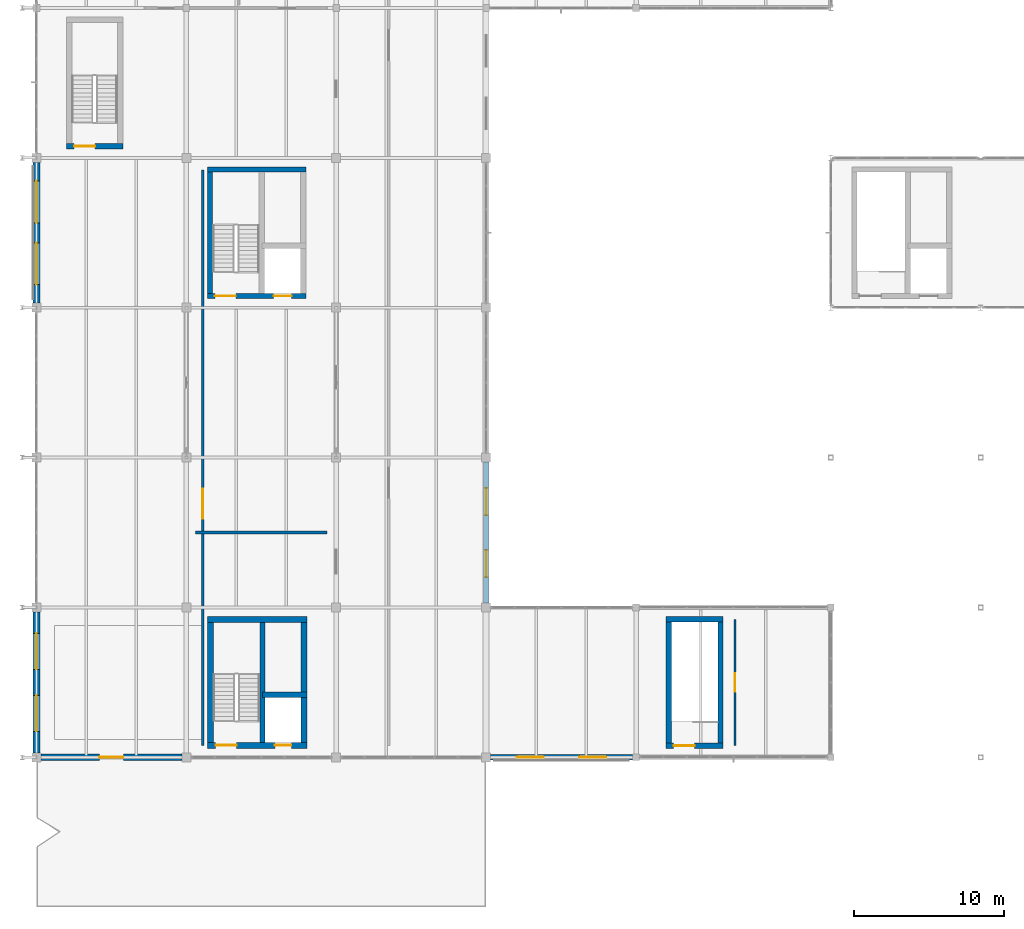
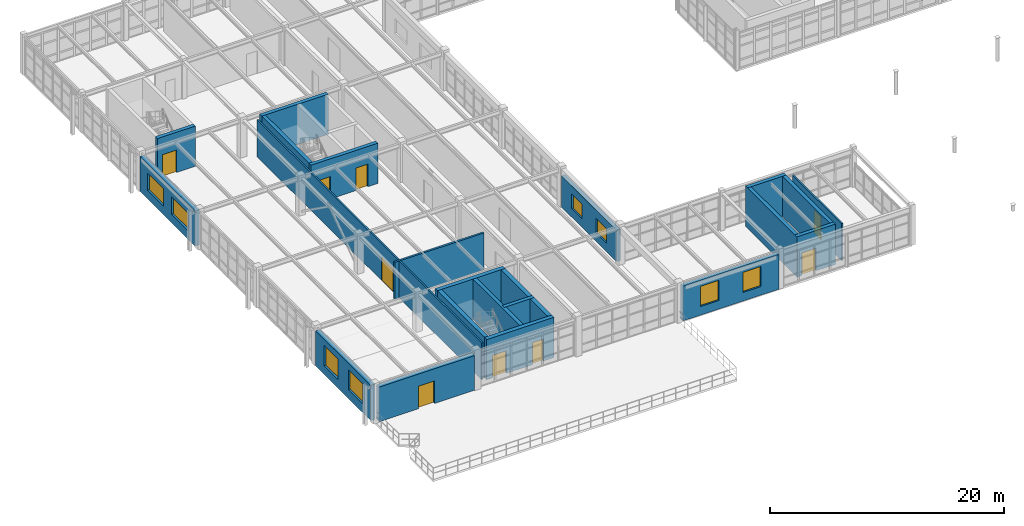
# One storey, part 105 of 122: 22 walls, 9 doors, 8 windows, 17 openings.
"""IFC4 building model written with IfcOpenShell, lengths in metres."""

import ifcopenshell
import ifcopenshell.guid

model = None  # the IFC model being written
_history = None  # IfcOwnerHistory: only IFC2X3 demands one
_inside = {}  # id of a spatial element -> (the spatial element, [elements in it])
_under = {}  # id of a project, library or spatial element -> (it, [spatial elements below it])
_declared = {}  # id of a project -> (the project, [libraries it declares])
_typed = {}  # id of a type object -> (the type object, [elements of that type])
_made_of = {}  # id of a material, layer set ... -> (it, [elements and type objects made of it])


def new_model(schema):
    """Start an empty IFC model of exactly this schema.

    Asked for "IFC4X3", IfcOpenShell would pick the latest addendum, in which some entities
    have other attributes; the version numbers below select the first issue.
    IFC2X3 requires an IfcOwnerHistory on every rooted entity: one is made here for all.
    """
    global model, _history
    if schema == "IFC4X3":
        model = ifcopenshell.file(schema_version=(4, 3, 0, 0))
    else:
        model = ifcopenshell.file(schema=schema)
    _inside.clear()
    _under.clear()
    _declared.clear()
    _typed.clear()
    _made_of.clear()
    _history = None
    if model.schema == "IFC2X3":
        org = make("IfcOrganization", Name="unknown")
        user = make(
            "IfcPersonAndOrganization",
            ThePerson=make("IfcPerson", FamilyName="unknown"),
            TheOrganization=org,
        )
        app = make(
            "IfcApplication",
            ApplicationDeveloper=org,
            Version="unknown",
            ApplicationFullName="unknown",
            ApplicationIdentifier="unknown",
        )
        _history = make(
            "IfcOwnerHistory",
            OwningUser=user,
            OwningApplication=app,
            ChangeAction="ADDED",
            CreationDate=0,
        )
    return model


def make(cls, **values):
    """One entity of the class cls with the attributes given. An attribute that is None is left unset."""
    return model.create_entity(
        cls, **{name: value for name, value in values.items() if value is not None}
    )


def rooted(cls, **values):
    """An entity with a GlobalId (a new one), such as an element, a storey or a relation."""
    return make(cls, GlobalId=ifcopenshell.guid.new(), OwnerHistory=_history, **values)


def si_unit(unit_type, name, prefix=None):
    """IfcSIUnit, for example si_unit("LENGTHUNIT", "METRE", prefix="MILLI")."""
    return make("IfcSIUnit", UnitType=unit_type, Prefix=prefix, Name=name)


def assignment(units):
    """IfcUnitAssignment: the units of a project."""
    return None if units is None else make("IfcUnitAssignment", Units=units)


def point(xyz):
    """IfcCartesianPoint."""
    return None if xyz is None else make("IfcCartesianPoint", Coordinates=xyz)


def direction(xyz):
    """IfcDirection."""
    return None if xyz is None else make("IfcDirection", DirectionRatios=xyz)


def frame(location, z_axis=None, x_axis=None):
    """IfcAxis2Placement3D, a coordinate frame: its origin and axes. An axis left out is left unset."""
    return make(
        "IfcAxis2Placement3D",
        Location=point(location),
        Axis=direction(z_axis),
        RefDirection=direction(x_axis),
    )


def frame_2d(location, x_axis=None):
    """IfcAxis2Placement2D, a coordinate frame in the plane: its origin and x axis."""
    return make(
        "IfcAxis2Placement2D", Location=point(location), RefDirection=direction(x_axis)
    )


def origin():
    """The frame at (0, 0, 0) with its axes left unset."""
    return frame((0.0, 0.0, 0.0))


def place(relative_to, where):
    """IfcLocalPlacement: puts the frame where relative to a parent placement (None: the world)."""
    return make(
        "IfcLocalPlacement", PlacementRelTo=relative_to, RelativePlacement=where
    )


def context(
    kind, dimensions, precision=None, world=None, true_north=None, identifier=None
):
    """IfcGeometricRepresentationContext, for example the 3D "Model" context."""
    return make(
        "IfcGeometricRepresentationContext",
        ContextIdentifier=identifier,
        ContextType=kind,
        CoordinateSpaceDimension=dimensions,
        Precision=precision,
        WorldCoordinateSystem=world,
        TrueNorth=true_north,
    )


def subcontext(parent, identifier, kind, view, scale=None):
    """IfcGeometricRepresentationSubContext, for example "Body" below "Model"."""
    return make(
        "IfcGeometricRepresentationSubContext",
        ContextIdentifier=identifier,
        ContextType=kind,
        ParentContext=parent,
        TargetScale=scale,
        TargetView=view,
    )


def project(units=None, contexts=None):
    """IfcProject with its units and contexts."""
    return rooted(
        "IfcProject",
        Name="project",
        RepresentationContexts=contexts,
        UnitsInContext=assignment(units),
    )


def spatial(cls, under=None, at=None, **own):
    """A site, building, storey or space (cls), placed at a placement, below another one or the project."""
    s = rooted(cls, ObjectPlacement=at, **own)
    if under is not None:
        _under.setdefault(under.id(), (under, []))[1].append(s)
    return s


def profile(cls, at=None, kind="AREA", **sizes):
    """A parametric profile (cls). Its sizes go by their IFC names, for example OverallWidth=200.0."""
    return make(cls, ProfileType=kind, Position=at, **sizes)


def rectangle(**sizes):
    """IfcRectangleProfileDef."""
    return profile("IfcRectangleProfileDef", **sizes)


def extrude(swept, where, along, depth):
    """IfcExtrudedAreaSolid: the profile swept, set in the frame where, extruded along a direction by depth."""
    return make(
        "IfcExtrudedAreaSolid",
        SweptArea=swept,
        Position=where,
        ExtrudedDirection=direction(along),
        Depth=depth,
    )


def shape(context_of_items, identifier, shape_type, items):
    """IfcShapeRepresentation: the items that make up one representation, for example the "Body"."""
    return make(
        "IfcShapeRepresentation",
        ContextOfItems=context_of_items,
        RepresentationIdentifier=identifier,
        RepresentationType=shape_type,
        Items=items,
    )


def material(Name=None, Category=None):
    """IfcMaterial."""
    return make("IfcMaterial", Name=Name, Category=Category)


def layer(
    of_material, thickness, ventilated=None, Name=None, Category=None, Priority=None
):
    """IfcMaterialLayer: one layer of a wall or slab, of a material (None: an air gap)."""
    return make(
        "IfcMaterialLayer",
        Material=of_material,
        LayerThickness=thickness,
        IsVentilated=ventilated,
        Name=Name,
        Category=Category,
        Priority=Priority,
    )


def layer_set(layers, Name=None):
    """IfcMaterialLayerSet."""
    return make("IfcMaterialLayerSet", MaterialLayers=layers, LayerSetName=Name)


def made_of(thing, what):
    """Note that an element or type object is made of a material, layer set ...; save() writes the relation."""
    if what is not None:
        _made_of.setdefault(what.id(), (what, []))[1].append(thing)
    return thing


def type_object(cls, material=None, **own):
    """A type object (cls), such as IfcWallType, which elements share."""
    return made_of(rooted(cls, **own), material)


def element(
    cls,
    number,
    at=None,
    inside=None,
    cuts=None,
    type_object=None,
    material=None,
    context=None,
    identifier="Body",
    shape_type=None,
    held_by="IfcProductDefinitionShape",
    body=None,
    shapes=None,
    **own,
):
    """One element of the class cls, such as IfcWall. Its Tag is "e" and its number.

    at: its placement. inside: the storey or other place that contains it. cuts: it is an
    opening in that element (IfcRelVoidsElement). A single representation is given by context,
    identifier, shape_type and body (its items); several are given by shapes. held_by: the class
    of the entity that holds the representations. save() writes the other relations.
    """
    e = rooted(cls, Tag="e%d" % number, ObjectPlacement=at, **own)
    if body is not None:
        shapes = [shape(context, identifier, shape_type, body)]
    if shapes is not None:
        e.Representation = make(held_by, Representations=shapes)
    if inside is not None:
        _inside.setdefault(inside.id(), (inside, []))[1].append(e)
    if cuts is not None:
        rooted(
            "IfcRelVoidsElement", RelatingBuildingElement=cuts, RelatedOpeningElement=e
        )
    if type_object is not None:
        _typed.setdefault(type_object.id(), (type_object, []))[1].append(e)
    return made_of(e, material)


def fill(opening, filler):
    """IfcRelFillsElement: the door or window that sits in an opening."""
    return rooted(
        "IfcRelFillsElement",
        RelatingOpeningElement=opening,
        RelatedBuildingElement=filler,
    )


def aggregate(whole, parts):
    """IfcRelAggregates: a whole, such as a stair, and the parts it consists of."""
    return rooted("IfcRelAggregates", RelatingObject=whole, RelatedObjects=parts)


def save(model, path):
    """Write the relations noted so far, then the file.

    IfcRelAggregates (storeys below a building ...), IfcRelContainedInSpatialStructure (elements
    in a storey), IfcRelDefinesByType, IfcRelAssociatesMaterial and IfcRelDeclares: one each for
    every whole, place, type object, material and project.
    """
    for whole, parts in _under.values():
        aggregate(whole, parts)
    for where, things in _inside.values():
        rooted(
            "IfcRelContainedInSpatialStructure",
            RelatedElements=things,
            RelatingStructure=where,
        )
    for kind, things in _typed.values():
        rooted("IfcRelDefinesByType", RelatedObjects=things, RelatingType=kind)
    for what, things in _made_of.values():
        rooted("IfcRelAssociatesMaterial", RelatedObjects=things, RelatingMaterial=what)
    for by, libraries in _declared.values():
        rooted("IfcRelDeclares", RelatingContext=by, RelatedDefinitions=libraries)
    model.write(path)


model = new_model("IFC4")

# Units and contexts
model_context = context("Model", 3, precision=1e-05, world=origin(), true_north=direction((0.0, 1.0)))
body_context = subcontext(model_context, "Body", "Model", "MODEL_VIEW")
ifc_project = project(units=[si_unit("LENGTHUNIT", "METRE"), si_unit("AREAUNIT", "SQUARE_METRE"), si_unit("VOLUMEUNIT", "CUBIC_METRE"), si_unit("PLANEANGLEUNIT", "RADIAN"), si_unit("MASSUNIT", "GRAM", prefix="KILO"), si_unit("THERMODYNAMICTEMPERATUREUNIT", "KELVIN"), si_unit("POWERUNIT", "WATT")], contexts=[model_context])

# Site, building, storey
site_placement = place(None, origin())
site = spatial("IfcSite", under=ifc_project, at=site_placement, CompositionType="ELEMENT")
building_placement = place(site_placement, origin())
building = spatial("IfcBuilding", under=site, at=building_placement, Name="Korenveer Ferry Terminal", CompositionType="ELEMENT")
storey_placement = place(building_placement, frame((0.0, 0.0, 10.199951171875)))
storey = spatial("IfcBuildingStorey", under=building, at=storey_placement, Name="L02", CompositionType="ELEMENT", Elevation=10.199951171875)

# Wall, openings, windows
ifc_material_1 = material(Name="Insulated clinker brick masonry", Category="masonry")
ifc_layer_1 = layer(ifc_material_1, 0.3798828125)
ifc_layer_set_1 = layer_set([ifc_layer_1], Name="Insulated clinker brick masonry")
wall_type_1 = type_object("IfcWallType", Name="ENV-WL-BRK380", PredefinedType="SOLIDWALL", material=ifc_layer_set_1)
wall_1_placement = place(storey_placement, frame((30.300048828125, 20.0, 0.0), z_axis=(0.0, 0.0, 1.0), x_axis=(1.0, 0.0, 0.0)))
wall_1 = element("IfcWall", 1, at=wall_1_placement, inside=storey, type_object=wall_type_1, Name="Exterior facade wall EWL-L02-055", PredefinedType="SOLIDWALL", context=body_context, shape_type="SweptSolid", body=[
    extrude(rectangle(XDim=9.474853515625, YDim=0.3798828125, at=frame_2d((4.7373046875, 0.0))), origin(), (0.0, 0.0, 1.0), 3.630126953125),
])
opening_1_placement = place(wall_1_placement, frame((1.7529296875, 0.0, 0.89990234375)))
opening_1 = element("IfcOpeningElement", 2, at=opening_1_placement, cuts=wall_1, Name="Opening WN-19", PredefinedType="OPENING", context=body_context, shape_type="SweptSolid", body=[
    extrude(rectangle(XDim=1.800048828125, YDim=2.10009765625, at=frame_2d((0.89990234375, 1.050048828125))), frame((0.0, 0.199951171875, 0.0), z_axis=(0.0, -1.0, 0.0), x_axis=(1.0, 0.0, 0.0)), (0.0, 0.0, 1.0), 0.39990234375),
])
opening_2_placement = place(wall_1_placement, frame((5.922119140625, 0.0, 0.89990234375)))
opening_2 = element("IfcOpeningElement", 3, at=opening_2_placement, cuts=wall_1, Name="Opening WN-19", PredefinedType="OPENING", context=body_context, shape_type="SweptSolid", body=[
    extrude(rectangle(XDim=1.800048828125, YDim=2.10009765625, at=frame_2d((0.89990234375, 1.050048828125))), frame((0.0, 0.199951171875, 0.0), z_axis=(0.0, -1.0, 0.0), x_axis=(1.0, 0.0, 0.0)), (0.0, 0.0, 1.0), 0.39990234375),
])
ifc_material_2 = material(Name="Low-iron triple glazing in bronze frame", Category="glass")
window_type_1 = type_object("IfcWindowType", Name="ENV-WN-19", PartitioningType="SINGLE_PANEL", PredefinedType="WINDOW", material=ifc_material_2)
window_1_placement = place(opening_1_placement, origin())
window_1 = element("IfcWindow", 4, at=window_1_placement, inside=storey, type_object=window_type_1, Name="Lancet facade window 59", OverallHeight=2.10009765625, OverallWidth=1.800048828125, PartitioningType="SINGLE_PANEL", PredefinedType="WINDOW", context=body_context, shape_type="SweptSolid", body=[
    extrude(rectangle(XDim=1.800048828125, YDim=2.10009765625, at=frame_2d((0.89990234375, 1.050048828125))), frame((0.0, 0.030029296875, 0.0), z_axis=(0.0, -1.0, 0.0), x_axis=(1.0, 0.0, 0.0)), (0.0, 0.0, 1.0), 0.06005859375),
])
fill(opening_1, window_1)
window_2_placement = place(opening_2_placement, origin())
window_2 = element("IfcWindow", 5, at=window_2_placement, inside=storey, type_object=window_type_1, Name="Lancet facade window 60", OverallHeight=2.10009765625, OverallWidth=1.800048828125, PartitioningType="SINGLE_PANEL", PredefinedType="WINDOW", context=body_context, shape_type="SweptSolid", body=[
    extrude(rectangle(XDim=1.800048828125, YDim=2.10009765625, at=frame_2d((0.89990234375, 1.050048828125))), frame((0.0, 0.030029296875, 0.0), z_axis=(0.0, -1.0, 0.0), x_axis=(1.0, 0.0, 0.0)), (0.0, 0.0, 1.0), 0.06005859375),
])
fill(opening_2, window_2)

wall_2_placement = place(storey_placement, frame((30.0, 39.699951171875, 0.0), z_axis=(0.0, 0.0, 1.0), x_axis=(0.0, -1.0, 0.0)))
wall_2 = element("IfcWall", 6, at=wall_2_placement, inside=storey, type_object=wall_type_1, Name="Exterior facade wall EWL-L02-062", PredefinedType="SOLIDWALL", context=body_context, shape_type="SweptSolid", body=[
    extrude(rectangle(XDim=9.39990234375, YDim=0.3798828125, at=frame_2d((4.699951171875, 0.0))), origin(), (0.0, 0.0, 1.0), 3.27001953125),
])
opening_3_placement = place(wall_2_placement, frame((1.73193359375, 0.0, 0.89990234375)))
opening_3 = element("IfcOpeningElement", 7, at=opening_3_placement, cuts=wall_2, Name="Opening WN-17", PredefinedType="OPENING", context=body_context, shape_type="SweptSolid", body=[
    extrude(rectangle(XDim=1.800048828125, YDim=1.5, at=frame_2d((0.89990234375, 0.75))), frame((0.0, 0.199951171875, 0.0), z_axis=(0.0, -1.0, 0.0), x_axis=(1.0, 0.0, 0.0)), (0.0, 0.0, 1.0), 0.39990234375),
])
opening_4_placement = place(wall_2_placement, frame((5.867919921875, 0.0, 0.89990234375)))
opening_4 = element("IfcOpeningElement", 8, at=opening_4_placement, cuts=wall_2, Name="Opening WN-17", PredefinedType="OPENING", context=body_context, shape_type="SweptSolid", body=[
    extrude(rectangle(XDim=1.800048828125, YDim=1.5, at=frame_2d((0.89990234375, 0.75))), frame((0.0, 0.199951171875, 0.0), z_axis=(0.0, -1.0, 0.0), x_axis=(1.0, 0.0, 0.0)), (0.0, 0.0, 1.0), 0.39990234375),
])
window_type_2 = type_object("IfcWindowType", Name="ENV-WN-17", PartitioningType="SINGLE_PANEL", PredefinedType="WINDOW", material=ifc_material_2)
window_3_placement = place(opening_3_placement, origin())
window_3 = element("IfcWindow", 9, at=window_3_placement, inside=storey, type_object=window_type_2, Name="Lancet facade window 71", OverallHeight=1.5, OverallWidth=1.800048828125, PartitioningType="SINGLE_PANEL", PredefinedType="WINDOW", context=body_context, shape_type="SweptSolid", body=[
    extrude(rectangle(XDim=1.800048828125, YDim=1.5, at=frame_2d((0.89990234375, 0.75))), frame((0.0, 0.030029296875, 0.0), z_axis=(0.0, -1.0, 0.0), x_axis=(1.0, 0.0, 0.0)), (0.0, 0.0, 1.0), 0.06005859375),
])
fill(opening_3, window_3)
window_4_placement = place(opening_4_placement, origin())
window_4 = element("IfcWindow", 10, at=window_4_placement, inside=storey, type_object=window_type_2, Name="Lancet facade window 72", OverallHeight=1.5, OverallWidth=1.800048828125, PartitioningType="SINGLE_PANEL", PredefinedType="WINDOW", context=body_context, shape_type="SweptSolid", body=[
    extrude(rectangle(XDim=1.800048828125, YDim=1.5, at=frame_2d((0.89990234375, 0.75))), frame((0.0, 0.030029296875, 0.0), z_axis=(0.0, -1.0, 0.0), x_axis=(1.0, 0.0, 0.0)), (0.0, 0.0, 1.0), 0.06005859375),
])
fill(opening_4, window_4)

# Wall, opening, door
ifc_layer_2 = layer(ifc_material_1, 0.43994140625)
ifc_layer_set_2 = layer_set([ifc_layer_2], Name="Insulated clinker brick masonry")
wall_type_2 = type_object("IfcWallType", Name="ENV-WL-BRK440", PredefinedType="SOLIDWALL", material=ifc_layer_set_2)
wall_3_placement = place(storey_placement, frame((0.300048828125, 20.0, 0.0), z_axis=(0.0, 0.0, 1.0), x_axis=(1.0, 0.0, 0.0)))
wall_3 = element("IfcWall", 11, at=wall_3_placement, inside=storey, type_object=wall_type_2, Name="Exterior facade wall EWL-L02-054", PredefinedType="SOLIDWALL", context=body_context, shape_type="SweptSolid", body=[
    extrude(rectangle(XDim=9.39990234375, YDim=0.43994140625, at=frame_2d((4.699951171875, 0.0))), origin(), (0.0, 0.0, 1.0), 3.6201171875),
])
opening_5_placement = place(wall_3_placement, frame((3.89990234375, 0.0, 0.0)))
opening_5 = element("IfcOpeningElement", 12, at=opening_5_placement, cuts=wall_3, Name="Opening TD-201", PredefinedType="OPENING", context=body_context, shape_type="SweptSolid", body=[
    extrude(rectangle(XDim=1.60009765625, YDim=2.35009765625, at=frame_2d((0.800048828125, 1.175048828125))), frame((0.0, 0.22998046875, 0.0), z_axis=(0.0, -1.0, 0.0), x_axis=(1.0, 0.0, 0.0)), (0.0, 0.0, 1.0), 0.4599609375),
])
ifc_material_3 = material(Name="Thermally broken bronze glazed door", Category="aluminium")
door_type_1 = type_object("IfcDoorType", Name="ENV-DR-TERR160", OperationType="DOUBLE_DOOR_SINGLE_SWING", PredefinedType="DOOR", material=ifc_material_3)
door_1_placement = place(opening_5_placement, origin())
door_1 = element("IfcDoor", 13, at=door_1_placement, inside=storey, type_object=door_type_1, Name="West Public Roof Promenade Door TD-201", OperationType="DOUBLE_DOOR_SINGLE_SWING", OverallHeight=2.35009765625, OverallWidth=1.60009765625, PredefinedType="DOOR", context=body_context, shape_type="SweptSolid", body=[
    extrude(rectangle(XDim=1.60009765625, YDim=2.35009765625, at=frame_2d((0.800048828125, 1.175048828125))), frame((0.0, 0.02490234375, 0.0), z_axis=(0.0, -1.0, 0.0), x_axis=(1.0, 0.0, 0.0)), (0.0, 0.0, 1.0), 0.050048828125),
])
fill(opening_5, door_1)

# Wall, openings, windows
wall_4_placement = place(storey_placement, frame((0.0, 20.300048828125, 0.0), z_axis=(0.0, 0.0, 1.0), x_axis=(0.0, 1.0, 0.0)))
wall_4 = element("IfcWall", 14, at=wall_4_placement, inside=storey, type_object=wall_type_2, Name="Exterior facade wall EWL-L02-060", PredefinedType="SOLIDWALL", context=body_context, shape_type="SweptSolid", body=[
    extrude(rectangle(XDim=9.39990234375, YDim=0.43994140625, at=frame_2d((4.699951171875, 0.0))), origin(), (0.0, 0.0, 1.0), 3.670166015625),
])
opening_6_placement = place(wall_4_placement, frame((1.431884765625, 0.0, 0.89990234375)))
opening_6 = element("IfcOpeningElement", 15, at=opening_6_placement, cuts=wall_4, Name="Opening WN-31", PredefinedType="OPENING", context=body_context, shape_type="SweptSolid", body=[
    extrude(rectangle(XDim=2.39990234375, YDim=2.10009765625, at=frame_2d((1.199951171875, 1.050048828125))), frame((0.0, 0.22998046875, 0.0), z_axis=(0.0, -1.0, 0.0), x_axis=(1.0, 0.0, 0.0)), (0.0, 0.0, 1.0), 0.4599609375),
])
opening_7_placement = place(wall_4_placement, frame((5.568115234375, 0.0, 0.89990234375)))
opening_7 = element("IfcOpeningElement", 16, at=opening_7_placement, cuts=wall_4, Name="Opening WN-31", PredefinedType="OPENING", context=body_context, shape_type="SweptSolid", body=[
    extrude(rectangle(XDim=2.39990234375, YDim=2.10009765625, at=frame_2d((1.199951171875, 1.050048828125))), frame((0.0, 0.22998046875, 0.0), z_axis=(0.0, -1.0, 0.0), x_axis=(1.0, 0.0, 0.0)), (0.0, 0.0, 1.0), 0.4599609375),
])
window_type_3 = type_object("IfcWindowType", Name="ENV-WN-31", PartitioningType="SINGLE_PANEL", PredefinedType="WINDOW", material=ifc_material_2)
window_5_placement = place(opening_6_placement, origin())
window_5 = element("IfcWindow", 17, at=window_5_placement, inside=storey, type_object=window_type_3, Name="Lancet facade window 67", OverallHeight=2.10009765625, OverallWidth=2.39990234375, PartitioningType="SINGLE_PANEL", PredefinedType="WINDOW", context=body_context, shape_type="SweptSolid", body=[
    extrude(rectangle(XDim=2.39990234375, YDim=2.10009765625, at=frame_2d((1.199951171875, 1.050048828125))), frame((0.0, 0.030029296875, 0.0), z_axis=(0.0, -1.0, 0.0), x_axis=(1.0, 0.0, 0.0)), (0.0, 0.0, 1.0), 0.06005859375),
])
fill(opening_6, window_5)
window_6_placement = place(opening_7_placement, origin())
window_6 = element("IfcWindow", 18, at=window_6_placement, inside=storey, type_object=window_type_3, Name="Lancet facade window 68", OverallHeight=2.10009765625, OverallWidth=2.39990234375, PartitioningType="SINGLE_PANEL", PredefinedType="WINDOW", context=body_context, shape_type="SweptSolid", body=[
    extrude(rectangle(XDim=2.39990234375, YDim=2.10009765625, at=frame_2d((1.199951171875, 1.050048828125))), frame((0.0, 0.030029296875, 0.0), z_axis=(0.0, -1.0, 0.0), x_axis=(1.0, 0.0, 0.0)), (0.0, 0.0, 1.0), 0.06005859375),
])
fill(opening_7, window_6)

wall_5_placement = place(storey_placement, frame((0.0, 50.300048828125, 0.0), z_axis=(0.0, 0.0, 1.0), x_axis=(0.0, 1.0, 0.0)))
wall_5 = element("IfcWall", 19, at=wall_5_placement, inside=storey, type_object=wall_type_2, Name="Exterior facade wall EWL-L02-061", PredefinedType="SOLIDWALL", context=body_context, shape_type="SweptSolid", body=[
    extrude(rectangle(XDim=9.39990234375, YDim=0.43994140625, at=frame_2d((4.699951171875, 0.0))), origin(), (0.0, 0.0, 1.0), 3.670166015625),
])
opening_8_placement = place(wall_5_placement, frame((1.23193359375, 0.0, 0.89990234375)))
opening_8 = element("IfcOpeningElement", 20, at=opening_8_placement, cuts=wall_5, Name="Opening WN-35", PredefinedType="OPENING", context=body_context, shape_type="SweptSolid", body=[
    extrude(rectangle(XDim=2.800048828125, YDim=1.800048828125, at=frame_2d((1.39990234375, 0.89990234375))), frame((0.0, 0.22998046875, 0.0), z_axis=(0.0, -1.0, 0.0), x_axis=(1.0, 0.0, 0.0)), (0.0, 0.0, 1.0), 0.4599609375),
])
opening_9_placement = place(wall_5_placement, frame((5.367919921875, 0.0, 0.89990234375)))
opening_9 = element("IfcOpeningElement", 21, at=opening_9_placement, cuts=wall_5, Name="Opening WN-35", PredefinedType="OPENING", context=body_context, shape_type="SweptSolid", body=[
    extrude(rectangle(XDim=2.800048828125, YDim=1.800048828125, at=frame_2d((1.39990234375, 0.89990234375))), frame((0.0, 0.22998046875, 0.0), z_axis=(0.0, -1.0, 0.0), x_axis=(1.0, 0.0, 0.0)), (0.0, 0.0, 1.0), 0.4599609375),
])
window_type_4 = type_object("IfcWindowType", Name="ENV-WN-35", PartitioningType="SINGLE_PANEL", PredefinedType="WINDOW", material=ifc_material_2)
window_7_placement = place(opening_8_placement, origin())
window_7 = element("IfcWindow", 22, at=window_7_placement, inside=storey, type_object=window_type_4, Name="Lancet facade window 69", OverallHeight=1.800048828125, OverallWidth=2.800048828125, PartitioningType="SINGLE_PANEL", PredefinedType="WINDOW", context=body_context, shape_type="SweptSolid", body=[
    extrude(rectangle(XDim=2.800048828125, YDim=1.800048828125, at=frame_2d((1.39990234375, 0.89990234375))), frame((0.0, 0.030029296875, 0.0), z_axis=(0.0, -1.0, 0.0), x_axis=(1.0, 0.0, 0.0)), (0.0, 0.0, 1.0), 0.06005859375),
])
fill(opening_8, window_7)
window_8_placement = place(opening_9_placement, origin())
window_8 = element("IfcWindow", 23, at=window_8_placement, inside=storey, type_object=window_type_4, Name="Lancet facade window 70", OverallHeight=1.800048828125, OverallWidth=2.800048828125, PartitioningType="SINGLE_PANEL", PredefinedType="WINDOW", context=body_context, shape_type="SweptSolid", body=[
    extrude(rectangle(XDim=2.800048828125, YDim=1.800048828125, at=frame_2d((1.39990234375, 0.89990234375))), frame((0.0, 0.030029296875, 0.0), z_axis=(0.0, -1.0, 0.0), x_axis=(1.0, 0.0, 0.0)), (0.0, 0.0, 1.0), 0.06005859375),
])
fill(opening_9, window_8)

# Walls
ifc_material_4 = material(Name="Acoustic fire-rated twin-stud partition", Category="other")
ifc_layer_3 = layer(ifc_material_4, 0.199951171875)
ifc_layer_set_3 = layer_set([ifc_layer_3], Name="Acoustic fire-rated twin-stud partition")
wall_type_3 = type_object("IfcWallType", Name="INT-WL-COMP200", PredefinedType="PARTITIONING", material=ifc_layer_set_3)
wall_6_placement = place(storey_placement, frame((10.60009765625, 35.0, 0.0), z_axis=(0.0, 0.0, 1.0), x_axis=(1.0, 0.0, 0.0)))
element("IfcWall", 24, at=wall_6_placement, inside=storey, type_object=wall_type_3, Name="Interior partition PWL-L02-038", PredefinedType="PARTITIONING", context=body_context, shape_type="SweptSolid", body=[
    extrude(rectangle(XDim=8.7998046875, YDim=0.199951171875, at=frame_2d((4.39990234375, 0.0))), origin(), (0.0, 0.0, 1.0), 3.860107421875),
])
ifc_material_5 = material(Name="Concrete C45/55", Category="concrete")
ifc_layer_4 = layer(ifc_material_5, 0.360107421875)
ifc_layer_set_4 = layer_set([ifc_layer_4], Name="Concrete C45/55")
wall_type_4 = type_object("IfcWallType", Name="INT-WL-CORE360", PredefinedType="SHEAR", material=ifc_layer_set_4)
wall_7_placement = place(storey_placement, frame((15.080078125, 20.60009765625, 0.0), z_axis=(0.0, 0.0, 1.0), x_axis=(0.0, 1.0, 0.0)))
element("IfcWall", 25, at=wall_7_placement, inside=storey, type_object=wall_type_4, Name="West Firefighting Core K1 shaft divider wall L02", PredefinedType="SHEAR", context=body_context, shape_type="SweptSolid", body=[
    extrude(rectangle(XDim=8.7998046875, YDim=0.360107421875, at=frame_2d((4.39990234375, 0.0))), origin(), (0.0, 0.0, 1.0), 4.199951171875),
])
wall_8_placement = place(storey_placement, frame((15.080078125, 24.179931640625, 0.0), z_axis=(0.0, 0.0, 1.0), x_axis=(1.0, 0.0, 0.0)))
element("IfcWall", 26, at=wall_8_placement, inside=storey, type_object=wall_type_4, Name="West Firefighting Core K1 lift shaft wall L02", PredefinedType="SHEAR", context=body_context, shape_type="SweptSolid", body=[
    extrude(rectangle(XDim=2.97998046875, YDim=0.360107421875, at=frame_2d((1.489990234375, 0.0))), origin(), (0.0, 0.0, 1.0), 4.199951171875),
])

# Wall, openings, doors
wall_9_placement = place(storey_placement, frame((11.39990234375, 50.780029296875, 0.0), z_axis=(0.0, 0.0, 1.0), x_axis=(1.0, 0.0, 0.0)))
wall_9 = element("IfcWall", 27, at=wall_9_placement, inside=storey, type_object=wall_type_4, Name="West Operations Core K2 south shear wall L02", PredefinedType="SHEAR", context=body_context, shape_type="SweptSolid", body=[
    extrude(rectangle(XDim=6.580078125, YDim=0.360107421875, at=frame_2d((3.2900390625, 0.0))), origin(), (0.0, 0.0, 1.0), 4.199951171875),
])
opening_10_placement = place(wall_9_placement, frame((0.510009765625, 0.0, 0.0)))
opening_10 = element("IfcOpeningElement", 28, at=opening_10_placement, cuts=wall_9, Name="Opening SD-08", PredefinedType="OPENING", context=body_context, shape_type="SweptSolid", body=[
    extrude(rectangle(XDim=1.39990234375, YDim=2.35009765625, at=frame_2d((0.699951171875, 1.175048828125))), frame((0.0, 0.18994140625, 0.0), z_axis=(0.0, -1.0, 0.0), x_axis=(1.0, 0.0, 0.0)), (0.0, 0.0, 1.0), 0.380126953125),
])
opening_11_placement = place(wall_9_placement, frame((4.419921875, 0.0, 0.0)))
opening_11 = element("IfcOpeningElement", 29, at=opening_11_placement, cuts=wall_9, Name="Opening LD-08", PredefinedType="OPENING", context=body_context, shape_type="SweptSolid", body=[
    extrude(rectangle(XDim=1.199951171875, YDim=2.35009765625, at=frame_2d((0.60009765625, 1.175048828125))), frame((0.0, 0.18994140625, 0.0), z_axis=(0.0, -1.0, 0.0), x_axis=(1.0, 0.0, 0.0)), (0.0, 0.0, 1.0), 0.380126953125),
])
ifc_material_6 = material(Name="Solid hardwood and steel acoustic door", Category="steel")
door_type_2 = type_object("IfcDoorType", Name="INT-DR-LD120", OperationType="SLIDING_TO_LEFT", PredefinedType="DOOR", material=ifc_material_6)
door_2_placement = place(opening_11_placement, origin())
door_2 = element("IfcDoor", 30, at=door_2_placement, inside=storey, type_object=door_type_2, Name="Lift LP1 Sliding Landing Door L02", OperationType="SLIDING_TO_LEFT", OverallHeight=2.35009765625, OverallWidth=1.199951171875, PredefinedType="DOOR", context=body_context, shape_type="SweptSolid", body=[
    extrude(rectangle(XDim=1.199951171875, YDim=2.35009765625, at=frame_2d((0.60009765625, 1.175048828125))), frame((0.0, 0.02490234375, 0.0), z_axis=(0.0, -1.0, 0.0), x_axis=(1.0, 0.0, 0.0)), (0.0, 0.0, 1.0), 0.050048828125),
])
fill(opening_11, door_2)
door_type_3 = type_object("IfcDoorType", Name="INT-DR-ST140", OperationType="NOTDEFINED", PredefinedType="DOOR", material=ifc_material_6)
door_3_placement = place(opening_10_placement, origin())
door_3 = element("IfcDoor", 31, at=door_3_placement, inside=storey, type_object=door_type_3, Name="ST02 Stair Door L02", OperationType="SINGLE_SWING_RIGHT", OverallHeight=2.35009765625, OverallWidth=1.39990234375, PredefinedType="DOOR", context=body_context, shape_type="SweptSolid", body=[
    extrude(rectangle(XDim=1.39990234375, YDim=2.35009765625, at=frame_2d((0.699951171875, 1.175048828125))), frame((0.0, 0.02490234375, 0.0), z_axis=(0.0, -1.0, 0.0), x_axis=(1.0, 0.0, 0.0)), (0.0, 0.0, 1.0), 0.050048828125),
])
fill(opening_10, door_3)

# Walls
wall_10_placement = place(storey_placement, frame((11.39990234375, 59.219970703125, 0.0), z_axis=(0.0, 0.0, 1.0), x_axis=(1.0, 0.0, 0.0)))
element("IfcWall", 32, at=wall_10_placement, inside=storey, type_object=wall_type_4, Name="West Operations Core K2 north shear wall L02", PredefinedType="SHEAR", context=body_context, shape_type="SweptSolid", body=[
    extrude(rectangle(XDim=6.580078125, YDim=0.360107421875, at=frame_2d((3.2900390625, 0.0))), origin(), (0.0, 0.0, 1.0), 4.199951171875),
])
wall_11_placement = place(storey_placement, frame((11.580078125, 50.60009765625, 0.0), z_axis=(0.0, 0.0, 1.0), x_axis=(0.0, 1.0, 0.0)))
element("IfcWall", 33, at=wall_11_placement, inside=storey, type_object=wall_type_4, Name="West Operations Core K2 west shear wall L02", PredefinedType="SHEAR", context=body_context, shape_type="SweptSolid", body=[
    extrude(rectangle(XDim=8.7998046875, YDim=0.360107421875, at=frame_2d((4.39990234375, 0.0))), origin(), (0.0, 0.0, 1.0), 4.199951171875),
])

# Wall, opening, door
wall_12_placement = place(storey_placement, frame((42.0, 20.780029296875, 0.0), z_axis=(0.0, 0.0, 1.0), x_axis=(1.0, 0.0, 0.0)))
wall_12 = element("IfcWall", 34, at=wall_12_placement, inside=storey, type_object=wall_type_4, Name="Arrivals West Stair Core K9 south shear wall L02", PredefinedType="SHEAR", context=body_context, shape_type="SweptSolid", body=[
    extrude(rectangle(XDim=3.820068359375, YDim=0.360107421875, at=frame_2d((1.91015625, 0.0))), origin(), (0.0, 0.0, 1.0), 4.199951171875),
])
opening_12_placement = place(wall_12_placement, frame((0.510009765625, 0.0, 0.0)))
opening_12 = element("IfcOpeningElement", 35, at=opening_12_placement, cuts=wall_12, Name="Opening SD-31", PredefinedType="OPENING", context=body_context, shape_type="SweptSolid", body=[
    extrude(rectangle(XDim=1.39990234375, YDim=2.35009765625, at=frame_2d((0.699951171875, 1.175048828125))), frame((0.0, 0.18994140625, 0.0), z_axis=(0.0, -1.0, 0.0), x_axis=(1.0, 0.0, 0.0)), (0.0, 0.0, 1.0), 0.380126953125),
])
door_4_placement = place(opening_12_placement, origin())
door_4 = element("IfcDoor", 36, at=door_4_placement, inside=storey, type_object=door_type_3, Name="ST09 Stair Door L02", OperationType="SINGLE_SWING_LEFT", OverallHeight=2.35009765625, OverallWidth=1.39990234375, PredefinedType="DOOR", context=body_context, shape_type="SweptSolid", body=[
    extrude(rectangle(XDim=1.39990234375, YDim=2.35009765625, at=frame_2d((0.699951171875, 1.175048828125))), frame((0.0, 0.02490234375, 0.0), z_axis=(0.0, -1.0, 0.0), x_axis=(1.0, 0.0, 0.0)), (0.0, 0.0, 1.0), 0.050048828125),
])
fill(opening_12, door_4)

# Walls
wall_13_placement = place(storey_placement, frame((42.0, 29.219970703125, 0.0), z_axis=(0.0, 0.0, 1.0), x_axis=(1.0, 0.0, 0.0)))
element("IfcWall", 37, at=wall_13_placement, inside=storey, type_object=wall_type_4, Name="Arrivals West Stair Core K9 north shear wall L02", PredefinedType="SHEAR", context=body_context, shape_type="SweptSolid", body=[
    extrude(rectangle(XDim=3.820068359375, YDim=0.360107421875, at=frame_2d((1.91015625, 0.0))), origin(), (0.0, 0.0, 1.0), 4.199951171875),
])
for number, where, z_axis, x_axis, name in (
    (38, (42.179931640625, 20.60009765625, 0.0), (0.0, 0.0, 1.0), (0.0, 1.0, 0.0), "Arrivals West Stair Core K9 west shear wall L02"),
    (39, (45.639892578125, 20.60009765625, 0.0), (0.0, 0.0, 1.0), (0.0, 1.0, 0.0), "Arrivals West Stair Core K9 east shear wall L02"),
):
    element("IfcWall", number, at=place(storey_placement, frame(where, z_axis=z_axis, x_axis=x_axis)), inside=storey, type_object=wall_type_4, Name=name, PredefinedType="SHEAR", context=body_context, shape_type="SweptSolid", body=[
        extrude(rectangle(XDim=8.7998046875, YDim=0.360107421875, at=frame_2d((4.39990234375, 0.0))), origin(), (0.0, 0.0, 1.0), 4.199951171875),
    ])

# Wall, opening, door
wall_14_placement = place(storey_placement, frame((2.0, 60.780029296875, 0.0), z_axis=(0.0, 0.0, 1.0), x_axis=(1.0, 0.0, 0.0)))
wall_14 = element("IfcWall", 40, at=wall_14_placement, inside=storey, type_object=wall_type_4, Name="Harbourmaster North Stair Core K11 south shear wall L02", PredefinedType="SHEAR", context=body_context, shape_type="SweptSolid", body=[
    extrude(rectangle(XDim=3.760009765625, YDim=0.360107421875, at=frame_2d((1.8798828125, 0.0))), origin(), (0.0, 0.0, 1.0), 4.199951171875),
])
opening_13_placement = place(wall_14_placement, frame((0.510009765625, 0.0, 0.0)))
opening_13 = element("IfcOpeningElement", 41, at=opening_13_placement, cuts=wall_14, Name="Opening SD-37", PredefinedType="OPENING", context=body_context, shape_type="SweptSolid", body=[
    extrude(rectangle(XDim=1.39990234375, YDim=2.35009765625, at=frame_2d((0.699951171875, 1.175048828125))), frame((0.0, 0.18994140625, 0.0), z_axis=(0.0, -1.0, 0.0), x_axis=(1.0, 0.0, 0.0)), (0.0, 0.0, 1.0), 0.380126953125),
])
door_5_placement = place(opening_13_placement, origin())
door_5 = element("IfcDoor", 42, at=door_5_placement, inside=storey, type_object=door_type_3, Name="ST11 Stair Door L02", OperationType="SINGLE_SWING_LEFT", OverallHeight=2.35009765625, OverallWidth=1.39990234375, PredefinedType="DOOR", context=body_context, shape_type="SweptSolid", body=[
    extrude(rectangle(XDim=1.39990234375, YDim=2.35009765625, at=frame_2d((0.699951171875, 1.175048828125))), frame((0.0, 0.02490234375, 0.0), z_axis=(0.0, -1.0, 0.0), x_axis=(1.0, 0.0, 0.0)), (0.0, 0.0, 1.0), 0.050048828125),
])
fill(opening_13, door_5)

# Wall, openings, doors
ifc_layer_5 = layer(ifc_material_5, 0.39990234375)
ifc_layer_set_5 = layer_set([ifc_layer_5], Name="Concrete C45/55")
wall_type_5 = type_object("IfcWallType", Name="INT-WL-CORE400", PredefinedType="SHEAR", material=ifc_layer_set_5)
wall_15_placement = place(storey_placement, frame((11.39990234375, 20.800048828125, 0.0), z_axis=(0.0, 0.0, 1.0), x_axis=(1.0, 0.0, 0.0)))
wall_15 = element("IfcWall", 43, at=wall_15_placement, inside=storey, type_object=wall_type_5, Name="West Firefighting Core K1 south shear wall L02", PredefinedType="SHEAR", context=body_context, shape_type="SweptSolid", body=[
    extrude(rectangle(XDim=6.66015625, YDim=0.39990234375, at=frame_2d((3.330078125, 0.0))), origin(), (0.0, 0.0, 1.0), 4.199951171875),
])
opening_14_placement = place(wall_15_placement, frame((0.550048828125, 0.0, 0.0)))
opening_14 = element("IfcOpeningElement", 44, at=opening_14_placement, cuts=wall_15, Name="Opening SD-03", PredefinedType="OPENING", context=body_context, shape_type="SweptSolid", body=[
    extrude(rectangle(XDim=1.39990234375, YDim=2.35009765625, at=frame_2d((0.699951171875, 1.175048828125))), frame((0.0, 0.2099609375, 0.0), z_axis=(0.0, -1.0, 0.0), x_axis=(1.0, 0.0, 0.0)), (0.0, 0.0, 1.0), 0.419921875),
])
opening_15_placement = place(wall_15_placement, frame((4.510009765625, 0.0, 0.0)))
opening_15 = element("IfcOpeningElement", 45, at=opening_15_placement, cuts=wall_15, Name="Opening LD-03", PredefinedType="OPENING", context=body_context, shape_type="SweptSolid", body=[
    extrude(rectangle(XDim=1.10009765625, YDim=2.300048828125, at=frame_2d((0.550048828125, 1.14990234375))), frame((0.0, 0.2099609375, 0.0), z_axis=(0.0, -1.0, 0.0), x_axis=(1.0, 0.0, 0.0)), (0.0, 0.0, 1.0), 0.419921875),
])
door_type_4 = type_object("IfcDoorType", Name="INT-DR-LD110", OperationType="SLIDING_TO_LEFT", PredefinedType="DOOR", material=ifc_material_6)
door_6_placement = place(opening_15_placement, origin())
door_6 = element("IfcDoor", 46, at=door_6_placement, inside=storey, type_object=door_type_4, Name="Lift FL1 Sliding Landing Door L02", OperationType="SLIDING_TO_LEFT", OverallHeight=2.300048828125, OverallWidth=1.10009765625, PredefinedType="DOOR", context=body_context, shape_type="SweptSolid", body=[
    extrude(rectangle(XDim=1.10009765625, YDim=2.300048828125, at=frame_2d((0.550048828125, 1.14990234375))), frame((0.0, 0.02490234375, 0.0), z_axis=(0.0, -1.0, 0.0), x_axis=(1.0, 0.0, 0.0)), (0.0, 0.0, 1.0), 0.050048828125),
])
fill(opening_15, door_6)
door_7_placement = place(opening_14_placement, origin())
door_7 = element("IfcDoor", 47, at=door_7_placement, inside=storey, type_object=door_type_3, Name="ST01 Stair Door L02", OperationType="SINGLE_SWING_LEFT", OverallHeight=2.35009765625, OverallWidth=1.39990234375, PredefinedType="DOOR", context=body_context, shape_type="SweptSolid", body=[
    extrude(rectangle(XDim=1.39990234375, YDim=2.35009765625, at=frame_2d((0.699951171875, 1.175048828125))), frame((0.0, 0.02490234375, 0.0), z_axis=(0.0, -1.0, 0.0), x_axis=(1.0, 0.0, 0.0)), (0.0, 0.0, 1.0), 0.050048828125),
])
fill(opening_14, door_7)

# Walls
wall_16_placement = place(storey_placement, frame((11.39990234375, 29.199951171875, 0.0), z_axis=(0.0, 0.0, 1.0), x_axis=(1.0, 0.0, 0.0)))
element("IfcWall", 48, at=wall_16_placement, inside=storey, type_object=wall_type_5, Name="West Firefighting Core K1 north shear wall L02", PredefinedType="SHEAR", context=body_context, shape_type="SweptSolid", body=[
    extrude(rectangle(XDim=6.66015625, YDim=0.39990234375, at=frame_2d((3.330078125, 0.0))), origin(), (0.0, 0.0, 1.0), 4.199951171875),
])
for number, where, z_axis, x_axis, name in (
    (49, (11.60009765625, 20.60009765625, 0.0), (0.0, 0.0, 1.0), (0.0, 1.0, 0.0), "West Firefighting Core K1 west shear wall L02"),
    (50, (17.860107421875, 20.60009765625, 0.0), (0.0, 0.0, 1.0), (0.0, 1.0, 0.0), "West Firefighting Core K1 east shear wall L02"),
):
    element("IfcWall", number, at=place(storey_placement, frame(where, z_axis=z_axis, x_axis=x_axis)), inside=storey, type_object=wall_type_5, Name=name, PredefinedType="SHEAR", context=body_context, shape_type="SweptSolid", body=[
        extrude(rectangle(XDim=8.7998046875, YDim=0.39990234375, at=frame_2d((4.39990234375, 0.0))), origin(), (0.0, 0.0, 1.0), 4.199951171875),
    ])

# Wall, opening, door
ifc_material_7 = material(Name="Acoustic gypsum board stud partition", Category="other")
ifc_layer_6 = layer(ifc_material_7, 0.14990234375)
ifc_layer_set_6 = layer_set([ifc_layer_6], Name="Acoustic gypsum board stud partition")
wall_type_6 = type_object("IfcWallType", Name="INT-WL-PART150", PredefinedType="PARTITIONING", material=ifc_layer_set_6)
wall_17_placement = place(storey_placement, frame((11.10009765625, 20.800048828125, 0.0), z_axis=(0.0, 0.0, 1.0), x_axis=(0.0, 1.0, 0.0)))
wall_17 = element("IfcWall", 51, at=wall_17_placement, inside=storey, type_object=wall_type_6, Name="Interior partition PWL-L02-037", PredefinedType="PARTITIONING", context=body_context, shape_type="SweptSolid", body=[
    extrude(rectangle(XDim=38.39990234375, YDim=0.14990234375, at=frame_2d((19.199951171875, 0.0))), origin(), (0.0, 0.0, 1.0), 3.860107421875),
])
opening_16_placement = place(wall_17_placement, frame((15.1279296875, 0.0, 0.0)))
opening_16 = element("IfcOpeningElement", 52, at=opening_16_placement, cuts=wall_17, Name="Opening ID-049", PredefinedType="OPENING", context=body_context, shape_type="SweptSolid", body=[
    extrude(rectangle(XDim=2.0, YDim=2.449951171875, at=frame_2d((1.0, 1.22509765625))), frame((0.0, 0.0849609375, 0.0), z_axis=(0.0, -1.0, 0.0), x_axis=(1.0, 0.0, 0.0)), (0.0, 0.0, 1.0), 0.169921875),
])
door_type_5 = type_object("IfcDoorType", Name="INT-DR-CON200U", OperationType="DOUBLE_DOOR_SINGLE_SWING", PredefinedType="DOOR", material=ifc_material_6)
door_8_placement = place(opening_16_placement, origin())
door_8 = element("IfcDoor", 53, at=door_8_placement, inside=storey, type_object=door_type_5, Name="North Sea Waiting Lounge Entrance", OperationType="DOUBLE_DOOR_SINGLE_SWING", OverallHeight=2.449951171875, OverallWidth=2.0, PredefinedType="DOOR", context=body_context, shape_type="SweptSolid", body=[
    extrude(rectangle(XDim=2.0, YDim=2.449951171875, at=frame_2d((1.0, 1.22509765625))), frame((0.0, 0.02490234375, 0.0), z_axis=(0.0, -1.0, 0.0), x_axis=(1.0, 0.0, 0.0)), (0.0, 0.0, 1.0), 0.050048828125),
])
fill(opening_16, door_8)

wall_18_placement = place(storey_placement, frame((46.60009765625, 20.800048828125, 0.0), z_axis=(0.0, 0.0, 1.0), x_axis=(0.0, 1.0, 0.0)))
wall_18 = element("IfcWall", 54, at=wall_18_placement, inside=storey, type_object=wall_type_6, Name="Interior partition PWL-L02-041", PredefinedType="PARTITIONING", context=body_context, shape_type="SweptSolid", body=[
    extrude(rectangle(XDim=8.39990234375, YDim=0.14990234375, at=frame_2d((4.199951171875, 0.0))), origin(), (0.0, 0.0, 1.0), 3.860107421875),
])
opening_17_placement = place(wall_18_placement, frame((3.574951171875, 0.0, 0.0)))
opening_17 = element("IfcOpeningElement", 55, at=opening_17_placement, cuts=wall_18, Name="Opening ID-052", PredefinedType="OPENING", context=body_context, shape_type="SweptSolid", body=[
    extrude(rectangle(XDim=1.25, YDim=2.39990234375, at=frame_2d((0.625, 1.199951171875))), frame((0.0, 0.0849609375, 0.0), z_axis=(0.0, -1.0, 0.0), x_axis=(1.0, 0.0, 0.0)), (0.0, 0.0, 1.0), 0.169921875),
])
door_type_6 = type_object("IfcDoorType", Name="INT-DR-RM125AU", OperationType="NOTDEFINED", PredefinedType="DOOR", material=ifc_material_6)
door_9_placement = place(opening_17_placement, origin())
door_9 = element("IfcDoor", 56, at=door_9_placement, inside=storey, type_object=door_type_6, Name="Baggage Equipment Store Door", OperationType="SINGLE_SWING_LEFT", OverallHeight=2.39990234375, OverallWidth=1.25, PredefinedType="DOOR", context=body_context, shape_type="SweptSolid", body=[
    extrude(rectangle(XDim=1.25, YDim=2.39990234375, at=frame_2d((0.625, 1.199951171875))), frame((0.0, 0.02490234375, 0.0), z_axis=(0.0, -1.0, 0.0), x_axis=(1.0, 0.0, 0.0)), (0.0, 0.0, 1.0), 0.050048828125),
])
fill(opening_17, door_9)

save(model, "model.ifc")
